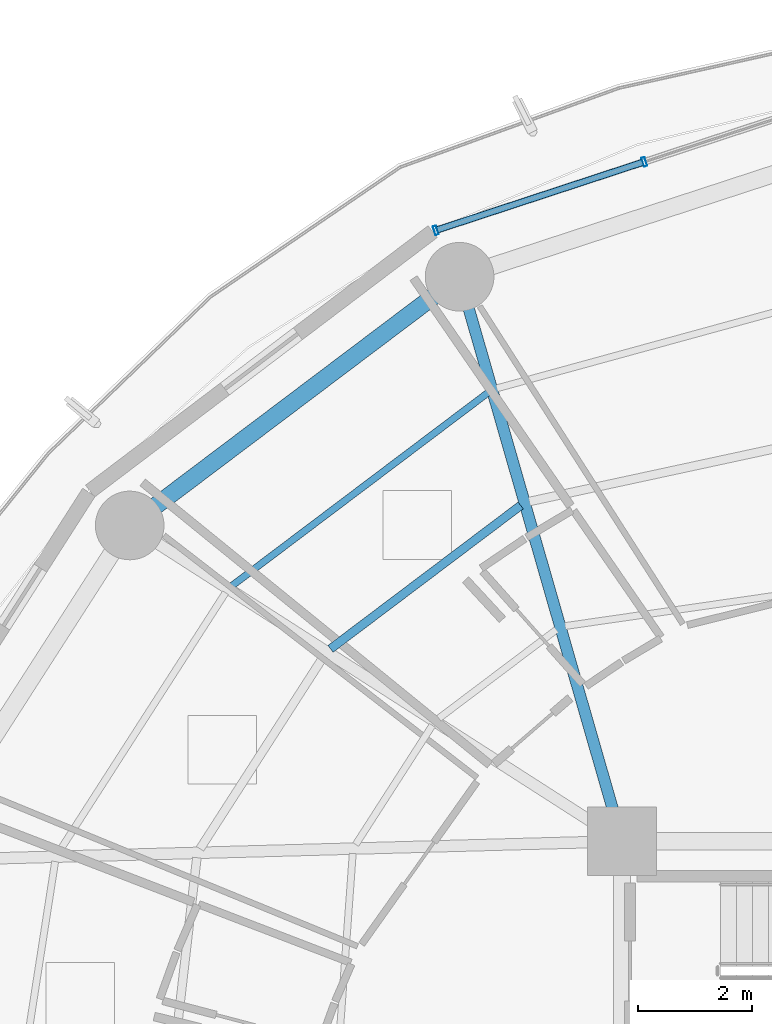
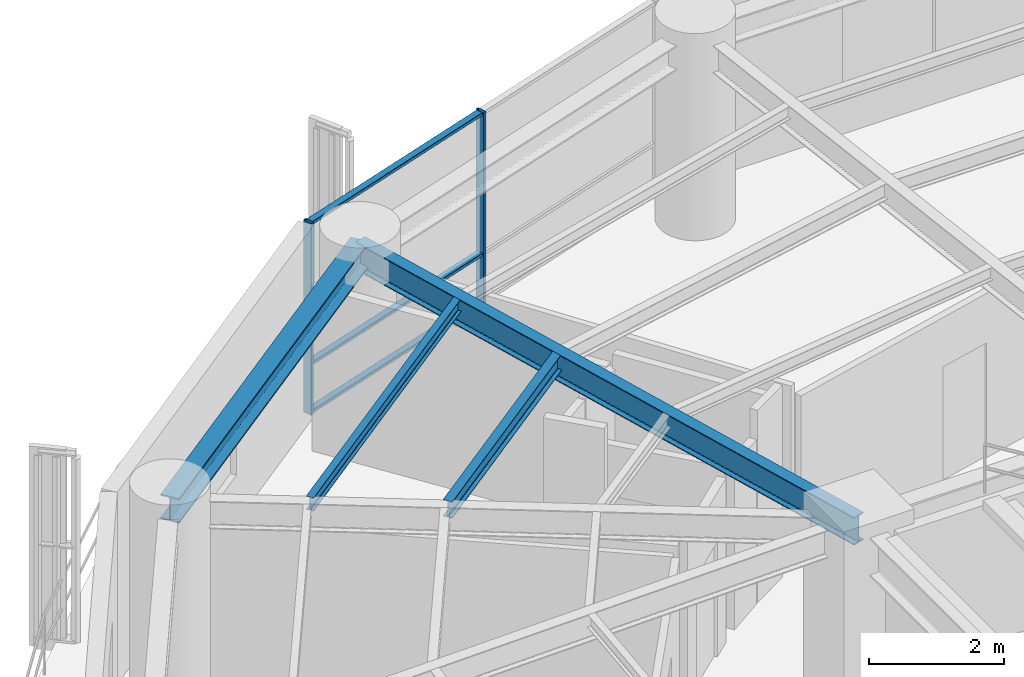
# One storey, part 16 of 28: 5 members, 4 beams, 1 element without a shape of its own.
"""IFC4 building model written with IfcOpenShell, lengths in metres."""

from ifc_helpers import new_model, si_unit, direction, frame, origin, origin_2d, place, context, subcontext, project, spatial, hollow_rectangle, i_section, extrude, material, layer, layer_set, material_profile, profile_set, type_object, element, aggregate, save


model = new_model("IFC4")

# Units and contexts
model_context = context("Model", 3, precision=1e-05, world=origin(), true_north=direction((0.0, 1.0)))
body_context = subcontext(model_context, "Body", "Model", "MODEL_VIEW")
ifc_project = project(units=[si_unit("LENGTHUNIT", "METRE"), si_unit("AREAUNIT", "SQUARE_METRE"), si_unit("VOLUMEUNIT", "CUBIC_METRE"), si_unit("PLANEANGLEUNIT", "RADIAN"), si_unit("MASSUNIT", "GRAM", prefix="KILO")], contexts=[model_context])

# Site, building, storey
site_placement = place(None, origin())
site = spatial("IfcSite", under=ifc_project, at=site_placement, CompositionType="ELEMENT")
building_placement = place(site_placement, origin())
building = spatial("IfcBuilding", under=site, at=building_placement, Name="Kelanora Arch Commons", CompositionType="ELEMENT")
storey_placement = place(building_placement, frame((0.0, 0.0, 161.85009765625)))
storey = spatial("IfcBuildingStorey", under=building, at=storey_placement, Name="L41", CompositionType="ELEMENT", Elevation=161.85009765625)

# Beams
ifc_material_1 = material(Name="Steel S355", Category="steel")
ifc_material_profile_1 = material_profile(ifc_material_1, i_section(OverallWidth=0.14990234375, OverallDepth=0.300048828125, WebThickness=0.007080078125, FlangeThickness=0.0107421875, FilletRadius=0.014892578125, at=origin_2d()), Name="IPE300")
ifc_profile_set_1 = profile_set([ifc_material_profile_1], Name="Steel S355")
beam_type_1 = type_object("IfcBeamType", Name="BM-JST-01", PredefinedType="JOIST", material=ifc_profile_set_1)
beam_1_placement = place(storey_placement, frame((64.22802734375, 70.870849609375, 3.33984375), z_axis=(-0.798463547891, -0.602043156833, 0.0), x_axis=(0.602043156833, -0.798463547891, 0.0)))
element("IfcBeam", 1, at=beam_1_placement, inside=storey, type_object=beam_type_1, Name="Secondary Chord Joist BJB-12 L41", PredefinedType="JOIST", context=body_context, shape_type="SweptSolid", body=[
    extrude(i_section(OverallWidth=0.14990234375, OverallDepth=0.300048828125, WebThickness=0.007080078125, FlangeThickness=0.0107421875, FilletRadius=0.014892578125, at=origin_2d()), origin(), (0.0, 0.0, 1.0), 4.163818359375),
])
ifc_material_profile_2 = material_profile(ifc_material_1, i_section(OverallWidth=0.1201171875, OverallDepth=0.239990234375, WebThickness=0.006103515625, FlangeThickness=0.009765625, FilletRadius=0.014892578125, at=origin_2d()), Name="IPE240")
ifc_profile_set_2 = profile_set([ifc_material_profile_2], Name="Steel S355")
beam_type_2 = type_object("IfcBeamType", Name="BM-JST-02", PredefinedType="JOIST", material=ifc_profile_set_2)
beam_2_placement = place(storey_placement, frame((63.66015625, 72.844970703125, 3.369873046875), z_axis=(-0.798493128577, -0.602003923256, 0.0), x_axis=(0.602003923256, -0.798493128577, 0.0)))
element("IfcBeam", 2, at=beam_2_placement, inside=storey, type_object=beam_type_2, Name="Secondary Chord Joist BJC-12 L41", PredefinedType="JOIST", context=body_context, shape_type="SweptSolid", body=[
    extrude(i_section(OverallWidth=0.1201171875, OverallDepth=0.239990234375, WebThickness=0.006103515625, FlangeThickness=0.009765625, FilletRadius=0.014892578125, at=origin_2d()), origin(), (0.0, 0.0, 1.0), 5.608642578125),
])
ifc_material_profile_3 = material_profile(ifc_material_1, i_section(OverallWidth=0.199951171875, OverallDepth=0.5, WebThickness=0.01025390625, FlangeThickness=0.01611328125, FilletRadius=0.02099609375, at=origin_2d()), Name="IPE500")
ifc_profile_set_3 = profile_set([ifc_material_profile_3], Name="Steel S355")
beam_type_3 = type_object("IfcBeamType", Name="BM-RAD-Z3", PredefinedType="BEAM", material=ifc_profile_set_3)
beam_3_placement = place(storey_placement, frame((66.0, 65.0, 3.239990234375), z_axis=(-0.276525880065, 0.961006471182, 0.0), x_axis=(-0.961006471182, -0.276525880065, 0.0)))
element("IfcBeam", 3, at=beam_3_placement, inside=storey, type_object=beam_type_3, Name="Radial Floor Girder BR-12 L41", PredefinedType="BEAM", context=body_context, shape_type="SweptSolid", body=[
    extrude(i_section(OverallWidth=0.199951171875, OverallDepth=0.5, WebThickness=0.01025390625, FlangeThickness=0.01611328125, FilletRadius=0.02099609375, at=origin_2d()), origin(), (0.0, 0.0, 1.0), 10.2705078125),
])
ifc_material_profile_4 = material_profile(ifc_material_1, i_section(OverallWidth=0.300048828125, OverallDepth=0.449951171875, WebThickness=0.013916015625, FlangeThickness=0.02587890625, FilletRadius=0.027099609375, at=origin_2d()), Name="HEB450")
ifc_profile_set_4 = profile_set([ifc_material_profile_4], Name="Steel S355")
beam_type_4 = type_object("IfcBeamType", Name="BM-SPN-Z3", PredefinedType="SPANDREL", material=ifc_profile_set_4)
beam_4_placement = place(storey_placement, frame((63.159912109375, 74.8701171875, 3.264892578125), z_axis=(-0.798484645564, -0.60201517489, 0.0), x_axis=(0.60201517489, -0.798484645564, 0.0)))
element("IfcBeam", 4, at=beam_4_placement, inside=storey, type_object=beam_type_4, Name="Perimeter Spandrel Beam BS-12 L41", PredefinedType="SPANDREL", context=body_context, shape_type="SweptSolid", body=[
    extrude(i_section(OverallWidth=0.300048828125, OverallDepth=0.449951171875, WebThickness=0.013916015625, FlangeThickness=0.02587890625, FilletRadius=0.027099609375, at=origin_2d()), origin(), (0.0, 0.0, 1.0), 7.223388671875),
])

# Curtain wall, members
ifc_material_2 = material(Name="Terracotta ceramic-fritted low-E glass and aluminium", Category="masonry")
ifc_layer = layer(ifc_material_2, 0.175048828125)
ifc_layer_set = layer_set([ifc_layer], Name="Terracotta ceramic-fritted low-E glass and aluminium")
curtain_wall_type = type_object("IfcCurtainWallType", Name="CW-SYS-02", PredefinedType="NOTDEFINED", material=ifc_layer_set)
curtain_wall_placement = place(storey_placement, origin())
curtain_wall = element("IfcCurtainWall", 5, at=curtain_wall_placement, inside=storey, type_object=curtain_wall_type, Name="Unitised Curtain Wall L41-B05", PredefinedType="NOTDEFINED")
ifc_material_3 = material(Name="Powder-coated aluminium terracotta", Category="masonry")
ifc_material_profile_5 = material_profile(ifc_material_3, hollow_rectangle(XDim=0.159912109375, YDim=0.06005859375, WallThickness=0.0048828125, InnerFilletRadius=0.0048828125, OuterFilletRadius=0.010009765625, at=origin_2d()), Name="CWM160x60")
ifc_profile_set_5 = profile_set([ifc_material_profile_5], Name="Powder-coated aluminium terracotta")
member_type_1 = type_object("IfcMemberType", Name="CWM-STD", PredefinedType="MULLION", material=ifc_profile_set_5)
member_1_placement = place(storey_placement, frame((66.3876953125, 76.87841796875, 0.0), z_axis=(0.0, 0.0, 1.0), x_axis=(0.312128279571, -0.95003996605, 0.0)))
member_1 = element("IfcMember", 6, at=member_1_placement, type_object=member_type_1, Name="CW-02 mullion 2", PredefinedType="MULLION", context=body_context, shape_type="SweptSolid", body=[
    extrude(hollow_rectangle(XDim=0.159912109375, YDim=0.06005859375, WallThickness=0.0048828125, InnerFilletRadius=0.0048828125, OuterFilletRadius=0.010009765625, at=origin_2d()), origin(), (0.0, 0.0, 1.0), 3.474853515625),
])
member_2_placement = place(storey_placement, frame((62.742919921875, 75.680908203125, 0.0), z_axis=(0.0, 0.0, 1.0), x_axis=(0.312128279571, -0.95003996605, 0.0)))
member_2 = element("IfcMember", 7, at=member_2_placement, type_object=member_type_1, Name="CW-02 mullion 3", PredefinedType="MULLION", context=body_context, shape_type="SweptSolid", body=[
    extrude(hollow_rectangle(XDim=0.159912109375, YDim=0.06005859375, WallThickness=0.0048828125, InnerFilletRadius=0.0048828125, OuterFilletRadius=0.010009765625, at=origin_2d()), origin(), (0.0, 0.0, 1.0), 3.474853515625),
])
ifc_material_profile_6 = material_profile(ifc_material_3, hollow_rectangle(XDim=0.1201171875, YDim=0.06005859375, WallThickness=0.0048828125, InnerFilletRadius=0.0048828125, OuterFilletRadius=0.010009765625, at=origin_2d()), Name="CWT120x60")
ifc_profile_set_6 = profile_set([ifc_material_profile_6], Name="Powder-coated aluminium terracotta")
member_type_2 = type_object("IfcMemberType", Name="CWT-STD", PredefinedType="USERDEFINED", material=ifc_profile_set_6)
member_3_placement = place(storey_placement, frame((66.359375, 76.869140625, 0.02978515625), z_axis=(-0.950051191155, -0.312094111104, 0.0), x_axis=(0.312094111104, -0.950051191155, 0.0)))
member_3 = element("IfcMember", 8, at=member_3_placement, type_object=member_type_2, Name="CW-02 transom 2.1", ObjectType="TRANSOM", PredefinedType="USERDEFINED", context=body_context, shape_type="SweptSolid", body=[
    extrude(hollow_rectangle(XDim=0.1201171875, YDim=0.06005859375, WallThickness=0.0048828125, InnerFilletRadius=0.0048828125, OuterFilletRadius=0.010009765625, at=origin_2d()), origin(), (0.0, 0.0, 1.0), 3.77685546875),
])
member_4_placement = place(storey_placement, frame((66.359375, 76.869140625, 0.89990234375), z_axis=(-0.950051191155, -0.312094111104, 0.0), x_axis=(0.312094111104, -0.950051191155, 0.0)))
member_4 = element("IfcMember", 9, at=member_4_placement, type_object=member_type_2, Name="CW-02 transom 2.2", ObjectType="TRANSOM", PredefinedType="USERDEFINED", context=body_context, shape_type="SweptSolid", body=[
    extrude(hollow_rectangle(XDim=0.1201171875, YDim=0.06005859375, WallThickness=0.0048828125, InnerFilletRadius=0.0048828125, OuterFilletRadius=0.010009765625, at=origin_2d()), origin(), (0.0, 0.0, 1.0), 3.77685546875),
])
member_5_placement = place(storey_placement, frame((66.359375, 76.869140625, 3.44482421875), z_axis=(-0.950051191155, -0.312094111104, 0.0), x_axis=(0.312094111104, -0.950051191155, 0.0)))
member_5 = element("IfcMember", 10, at=member_5_placement, type_object=member_type_2, Name="CW-02 transom 2.3", ObjectType="TRANSOM", PredefinedType="USERDEFINED", context=body_context, shape_type="SweptSolid", body=[
    extrude(hollow_rectangle(XDim=0.1201171875, YDim=0.06005859375, WallThickness=0.0048828125, InnerFilletRadius=0.0048828125, OuterFilletRadius=0.010009765625, at=origin_2d()), origin(), (0.0, 0.0, 1.0), 3.77685546875),
])
aggregate(curtain_wall, [member_1, member_2, member_3, member_4, member_5])

save(model, "model.ifc")
